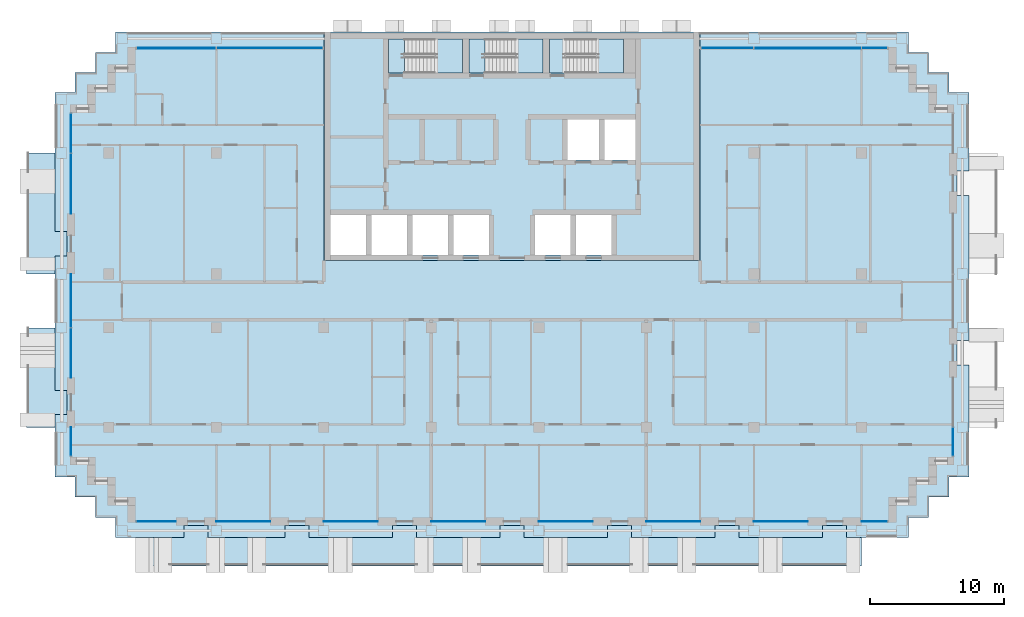
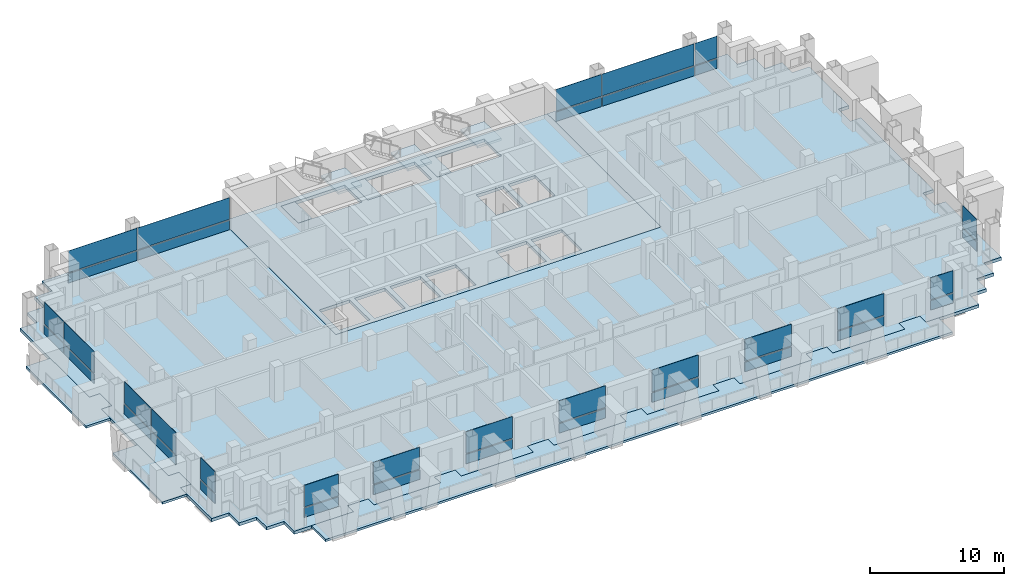
# One storey, part 6 of 16: 38 plates, 11 slabs, 17 elements without a shape of their own.
"""IFC4 building model written with IfcOpenShell, lengths in metres."""

from ifc_helpers import new_model, si_unit, direction, frame, origin, origin_2d, place, context, subcontext, project, spatial, polyline, rectangle, outline, extrude, material, layer, layer_set, type_object, element, aggregate, save


model = new_model("IFC4")

# Units and contexts
model_context = context("Model", 3, precision=1e-05, world=origin(), true_north=direction((0.0, 1.0)))
body_context = subcontext(model_context, "Body", "Model", "MODEL_VIEW")
ifc_project = project(units=[si_unit("LENGTHUNIT", "METRE"), si_unit("AREAUNIT", "SQUARE_METRE"), si_unit("VOLUMEUNIT", "CUBIC_METRE"), si_unit("PLANEANGLEUNIT", "RADIAN"), si_unit("MASSUNIT", "GRAM", prefix="KILO")], contexts=[model_context])

# Site, building, storey
site_placement = place(None, origin())
site = spatial("IfcSite", under=ifc_project, at=site_placement, CompositionType="ELEMENT")
building_placement = place(site_placement, origin())
building = spatial("IfcBuilding", under=site, at=building_placement, Name="Vidyagriha Tower", CompositionType="ELEMENT")
storey_placement = place(building_placement, frame((0.0, 0.0, 132.60009765625)))
storey = spatial("IfcBuildingStorey", under=building, at=storey_placement, Name="L34", CompositionType="ELEMENT", Elevation=132.60009765625)

# Curtain wall, plates
ifc_material_1 = material(Name="Aluminium and glass curtain wall", Category="aluminium")
curtain_wall_type = type_object("IfcCurtainWallType", Name="Dwelling skin unitised curtain wall", PredefinedType="USERDEFINED", material=ifc_material_1)
curtain_wall_1_placement = place(storey_placement, origin())
curtain_wall_1 = element("IfcCurtainWall", 1, at=curtain_wall_1_placement, inside=storey, type_object=curtain_wall_type, Name="CW1 dwelling skin", ObjectType="UNITISED", PredefinedType="USERDEFINED")
ifc_material_2 = material(Name="Glass dark ceramic-fritted spandrel", Category="glass")
ifc_layer_1 = layer(ifc_material_2, 0.0400390625)
ifc_layer_set_1 = layer_set([ifc_layer_1], Name="Glass dark ceramic-fritted spandrel")
plate_type_1 = type_object("IfcPlateType", Name="Ceramic-fritted spandrel panel", PredefinedType="CURTAIN_PANEL", material=ifc_layer_set_1)
plate_1_placement = place(storey_placement, frame((26.982421875, 18.800048828125, -0.000244140625), z_axis=(0.0, 0.0, 1.0), x_axis=(-1.0, 0.0, 0.0)))
plate_1 = element("IfcPlate", 2, at=plate_1_placement, type_object=plate_type_1, Name="CW1 panel 1.1", PredefinedType="CURTAIN_PANEL", context=body_context, shape_type="SweptSolid", body=[
    extrude(rectangle(XDim=1.89501953125, YDim=0.0400390625, at=origin_2d()), origin(), (0.0, 0.0, 1.0), 0.85009765625),
])
plate_2_placement = place(storey_placement, frame((16.017578125, 18.800048828125, -0.000244140625), z_axis=(0.0, 0.0, 1.0), x_axis=(-1.0, 0.0, 0.0)))
plate_2 = element("IfcPlate", 3, at=plate_2_placement, type_object=plate_type_1, Name="CW1 panel 3.1", PredefinedType="CURTAIN_PANEL", context=body_context, shape_type="SweptSolid", body=[
    extrude(rectangle(XDim=3.89501953125, YDim=0.0400390625, at=origin_2d()), origin(), (0.0, 0.0, 1.0), 0.85009765625),
])

# Curtain wall, plate
curtain_wall_2_placement = place(storey_placement, origin())
curtain_wall_2 = element("IfcCurtainWall", 4, at=curtain_wall_2_placement, inside=storey, type_object=curtain_wall_type, Name="CW1 dwelling skin", ObjectType="UNITISED", PredefinedType="USERDEFINED")
plate_3_placement = place(storey_placement, frame((-18.017578125, 18.800048828125, -0.000244140625), z_axis=(0.0, 0.0, 1.0), x_axis=(-1.0, 0.0, 0.0)))
plate_3 = element("IfcPlate", 5, at=plate_3_placement, type_object=plate_type_1, Name="CW1 panel 1.1", PredefinedType="CURTAIN_PANEL", context=body_context, shape_type="SweptSolid", body=[
    extrude(rectangle(XDim=7.89501953125, YDim=0.0400390625, at=origin_2d()), origin(), (0.0, 0.0, 1.0), 0.85009765625),
])

# Curtain wall, plates
curtain_wall_3_placement = place(storey_placement, origin())
curtain_wall_3 = element("IfcCurtainWall", 6, at=curtain_wall_3_placement, inside=storey, type_object=curtain_wall_type, Name="CW1 dwelling skin", ObjectType="UNITISED", PredefinedType="USERDEFINED")
plate_4_placement = place(storey_placement, frame((-32.800048828125, 12.482421875, -0.000244140625), z_axis=(0.0, 0.0, 1.0), x_axis=(0.0, -1.0, 0.0)))
plate_4 = element("IfcPlate", 7, at=plate_4_placement, type_object=plate_type_1, Name="CW1 panel 1.1", PredefinedType="CURTAIN_PANEL", context=body_context, shape_type="SweptSolid", body=[
    extrude(rectangle(XDim=2.89501953125, YDim=0.0400390625, at=origin_2d()), origin(), (0.0, 0.0, 1.0), 0.85009765625),
])
plate_5_placement = place(storey_placement, frame((-32.800048828125, 8.732421875, -0.000244140625), z_axis=(0.0, 0.0, 1.0), x_axis=(0.0, -1.0, 0.0)))
plate_5 = element("IfcPlate", 8, at=plate_5_placement, type_object=plate_type_1, Name="CW1 panel 2.1", PredefinedType="CURTAIN_PANEL", context=body_context, shape_type="SweptSolid", body=[
    extrude(rectangle(XDim=4.465087890625, YDim=0.0400390625, at=origin_2d()), origin(), (0.0, 0.0, 1.0), 0.85009765625),
])

# Curtain wall, plate
curtain_wall_4_placement = place(storey_placement, origin())
curtain_wall_4 = element("IfcCurtainWall", 9, at=curtain_wall_4_placement, inside=storey, type_object=curtain_wall_type, Name="CW1 dwelling skin", ObjectType="UNITISED", PredefinedType="USERDEFINED")
plate_6_placement = place(storey_placement, frame((-32.800048828125, -10.465087890625, -0.000244140625), z_axis=(0.0, 0.0, 1.0), x_axis=(0.0, -1.0, 0.0)))
plate_6 = element("IfcPlate", 10, at=plate_6_placement, type_object=plate_type_1, Name="CW1 panel 1.1", PredefinedType="CURTAIN_PANEL", context=body_context, shape_type="SweptSolid", body=[
    extrude(rectangle(XDim=2.1298828125, YDim=0.0400390625, at=origin_2d()), origin(), (0.0, 0.0, 1.0), 0.85009765625),
])

curtain_wall_5_placement = place(storey_placement, origin())
curtain_wall_5 = element("IfcCurtainWall", 11, at=curtain_wall_5_placement, inside=storey, type_object=curtain_wall_type, Name="CW1 dwelling skin", ObjectType="UNITISED", PredefinedType="USERDEFINED")
plate_7_placement = place(storey_placement, frame((-26.465087890625, -16.39990234375, -0.000244140625)))
plate_7 = element("IfcPlate", 12, at=plate_7_placement, type_object=plate_type_1, Name="CW1 panel 1.1", PredefinedType="CURTAIN_PANEL", context=body_context, shape_type="SweptSolid", body=[
    extrude(rectangle(XDim=2.929931640625, YDim=0.0400390625, at=origin_2d()), origin(), (0.0, 0.0, 1.0), 0.85009765625),
])

curtain_wall_6_placement = place(storey_placement, origin())
curtain_wall_6 = element("IfcCurtainWall", 13, at=curtain_wall_6_placement, inside=storey, type_object=curtain_wall_type, Name="CW1 dwelling skin", ObjectType="UNITISED", PredefinedType="USERDEFINED")
plate_8_placement = place(storey_placement, frame((-12.0, -16.39990234375, -0.000244140625)))
plate_8 = element("IfcPlate", 14, at=plate_8_placement, type_object=plate_type_1, Name="CW1 panel 1.1", PredefinedType="CURTAIN_PANEL", context=body_context, shape_type="SweptSolid", body=[
    extrude(rectangle(XDim=4.0, YDim=0.0400390625, at=origin_2d()), origin(), (0.0, 0.0, 1.0), 0.85009765625),
])

curtain_wall_7_placement = place(storey_placement, origin())
curtain_wall_7 = element("IfcCurtainWall", 15, at=curtain_wall_7_placement, inside=storey, type_object=curtain_wall_type, Name="CW1 dwelling skin", ObjectType="UNITISED", PredefinedType="USERDEFINED")
plate_9_placement = place(storey_placement, frame((4.0, -16.39990234375, -0.000244140625)))
plate_9 = element("IfcPlate", 16, at=plate_9_placement, type_object=plate_type_1, Name="CW1 panel 1.1", PredefinedType="CURTAIN_PANEL", context=body_context, shape_type="SweptSolid", body=[
    extrude(rectangle(XDim=4.0, YDim=0.0400390625, at=origin_2d()), origin(), (0.0, 0.0, 1.0), 0.85009765625),
])

curtain_wall_8_placement = place(storey_placement, origin())
curtain_wall_8 = element("IfcCurtainWall", 17, at=curtain_wall_8_placement, inside=storey, type_object=curtain_wall_type, Name="CW1 dwelling skin", ObjectType="UNITISED", PredefinedType="USERDEFINED")
plate_10_placement = place(storey_placement, frame((20.0, -16.39990234375, -0.000244140625)))
plate_10 = element("IfcPlate", 18, at=plate_10_placement, type_object=plate_type_1, Name="CW1 panel 1.1", PredefinedType="CURTAIN_PANEL", context=body_context, shape_type="SweptSolid", body=[
    extrude(rectangle(XDim=4.0, YDim=0.0400390625, at=origin_2d()), origin(), (0.0, 0.0, 1.0), 0.85009765625),
])

curtain_wall_9_placement = place(storey_placement, origin())
curtain_wall_9 = element("IfcCurtainWall", 19, at=curtain_wall_9_placement, inside=storey, type_object=curtain_wall_type, Name="CW1 dwelling skin", ObjectType="UNITISED", PredefinedType="USERDEFINED")
plate_11_placement = place(storey_placement, frame((26.965087890625, -16.39990234375, -0.000244140625)))
plate_11 = element("IfcPlate", 20, at=plate_11_placement, type_object=plate_type_1, Name="CW1 panel 1.1", PredefinedType="CURTAIN_PANEL", context=body_context, shape_type="SweptSolid", body=[
    extrude(rectangle(XDim=1.929931640625, YDim=0.0400390625, at=origin_2d()), origin(), (0.0, 0.0, 1.0), 0.85009765625),
])

curtain_wall_10_placement = place(storey_placement, origin())
curtain_wall_10 = element("IfcCurtainWall", 21, at=curtain_wall_10_placement, inside=storey, type_object=curtain_wall_type, Name="CW1 dwelling skin", ObjectType="UNITISED", PredefinedType="USERDEFINED")
plate_12_placement = place(storey_placement, frame((32.800048828125, -10.482421875, -0.000244140625), z_axis=(0.0, 0.0, 1.0), x_axis=(0.0, 1.0, 0.0)))
plate_12 = element("IfcPlate", 22, at=plate_12_placement, type_object=plate_type_1, Name="CW1 panel 1.1", PredefinedType="CURTAIN_PANEL", context=body_context, shape_type="SweptSolid", body=[
    extrude(rectangle(XDim=2.094970703125, YDim=0.0400390625, at=origin_2d()), origin(), (0.0, 0.0, 1.0), 0.85009765625),
])

# Slab
ifc_material_3 = material(Name="Concrete C60/75", Category="concrete")
ifc_layer_2 = layer(ifc_material_3, 0.280029296875)
ifc_layer_set_2 = layer_set([ifc_layer_2], Name="Concrete C60/75")
slab_type_1 = type_object("IfcSlabType", Name="Core floor slab 280 mm", PredefinedType="FLOOR", material=ifc_layer_set_2)
slab_1_placement = place(storey_placement, frame((0.0, 0.0, -0.280029296875)))
element("IfcSlab", 23, at=slab_1_placement, inside=storey, type_object=slab_type_1, Name="L34 core floor 1", PredefinedType="FLOOR", context=body_context, shape_type="SweptSolid", body=[
    extrude(outline(polyline([(-14.0, 3.0), (-14.0, 20.0), (14.0, 20.0), (14.0, 3.0), (-14.0, 3.0)]), holes=[polyline([(9.199951171875, 13.5), (6.86669921875, 13.5), (6.86669921875, 10.5), (9.199951171875, 10.5), (9.199951171875, 13.5)]), polyline([(4.0, 19.5), (2.800048828125, 19.5), (2.800048828125, 16.949951171875), (4.0, 16.949951171875), (8.300048828125, 16.949951171875), (8.300048828125, 19.5), (4.0, 19.5)]), polyline([(7.4111328125, 6.39990234375), (4.7666015625, 6.39990234375), (4.7666015625, 3.39990234375), (7.4111328125, 3.39990234375), (7.4111328125, 6.39990234375)]), polyline([(6.466796875, 13.5), (4.13330078125, 13.5), (4.13330078125, 10.5), (6.466796875, 10.5), (6.466796875, 13.5)]), polyline([(1.72216796875, 6.39990234375), (1.72216796875, 3.39990234375), (4.36669921875, 3.39990234375), (4.36669921875, 6.39990234375), (1.72216796875, 6.39990234375)]), polyline([(-2.0, 16.949951171875), (2.300048828125, 16.949951171875), (2.300048828125, 19.5), (-2.0, 19.5), (-3.199951171875, 19.5), (-3.199951171875, 16.949951171875), (-2.0, 16.949951171875)]), polyline([(-1.72216796875, 6.39990234375), (-4.36669921875, 6.39990234375), (-4.36669921875, 3.39990234375), (-1.72216796875, 3.39990234375), (-1.72216796875, 6.39990234375)]), polyline([(-8.0, 19.5), (-9.199951171875, 19.5), (-9.199951171875, 16.949951171875), (-8.0, 16.949951171875), (-3.699951171875, 16.949951171875), (-3.699951171875, 19.5), (-8.0, 19.5)]), polyline([(-4.7666015625, 6.39990234375), (-7.4111328125, 6.39990234375), (-7.4111328125, 3.39990234375), (-4.7666015625, 3.39990234375), (-4.7666015625, 6.39990234375)]), polyline([(-7.81103515625, 6.39990234375), (-10.45556640625, 6.39990234375), (-10.45556640625, 3.39990234375), (-7.81103515625, 3.39990234375), (-7.81103515625, 6.39990234375)]), polyline([(-13.5, 6.39990234375), (-13.5, 3.39990234375), (-10.855712890625, 3.39990234375), (-10.855712890625, 6.39990234375), (-13.5, 6.39990234375)])]), origin(), (0.0, 0.0, 1.0), 0.280029296875),
])

# Plate
ifc_material_4 = material(Name="Glass dark ceramic-fritted", Category="glass")
ifc_layer_3 = layer(ifc_material_4, 0.028076171875)
ifc_layer_set_3 = layer_set([ifc_layer_3], Name="Glass dark ceramic-fritted")
plate_type_2 = type_object("IfcPlateType", Name="Dark ceramic-fritted vision glass panel", PredefinedType="CURTAIN_PANEL", material=ifc_layer_set_3)
plate_13_placement = place(storey_placement, frame((26.982421875, 18.800048828125, 0.94970703125), z_axis=(0.0, 0.0, 1.0), x_axis=(-1.0, 0.0, 0.0)))
plate_13 = element("IfcPlate", 24, at=plate_13_placement, type_object=plate_type_2, Name="CW1 panel 1.2", PredefinedType="CURTAIN_PANEL", context=body_context, shape_type="SweptSolid", body=[
    extrude(rectangle(XDim=1.89501953125, YDim=0.028076171875, at=origin_2d()), origin(), (0.0, 0.0, 1.0), 1.969970703125),
])

plate_14_placement = place(storey_placement, frame((22.0, 18.800048828125, 0.94970703125), z_axis=(0.0, 0.0, 1.0), x_axis=(-1.0, 0.0, 0.0)))
plate_14 = element("IfcPlate", 25, at=plate_14_placement, type_object=plate_type_2, Name="CW1 panel 2.2", PredefinedType="CURTAIN_PANEL", context=body_context, shape_type="SweptSolid", body=[
    extrude(rectangle(XDim=7.929931640625, YDim=0.028076171875, at=origin_2d()), origin(), (0.0, 0.0, 1.0), 1.969970703125),
])

plate_15_placement = place(storey_placement, frame((16.017578125, 18.800048828125, 0.94970703125), z_axis=(0.0, 0.0, 1.0), x_axis=(-1.0, 0.0, 0.0)))
plate_15 = element("IfcPlate", 26, at=plate_15_placement, type_object=plate_type_2, Name="CW1 panel 3.2", PredefinedType="CURTAIN_PANEL", context=body_context, shape_type="SweptSolid", body=[
    extrude(rectangle(XDim=3.89501953125, YDim=0.028076171875, at=origin_2d()), origin(), (0.0, 0.0, 1.0), 1.969970703125),
])

plate_16_placement = place(storey_placement, frame((-18.017578125, 18.800048828125, 0.94970703125), z_axis=(0.0, 0.0, 1.0), x_axis=(-1.0, 0.0, 0.0)))
plate_16 = element("IfcPlate", 27, at=plate_16_placement, type_object=plate_type_2, Name="CW1 panel 1.2", PredefinedType="CURTAIN_PANEL", context=body_context, shape_type="SweptSolid", body=[
    extrude(rectangle(XDim=7.89501953125, YDim=0.028076171875, at=origin_2d()), origin(), (0.0, 0.0, 1.0), 1.969970703125),
])

plate_17_placement = place(storey_placement, frame((-24.982421875, 18.800048828125, 0.94970703125), z_axis=(0.0, 0.0, 1.0), x_axis=(-1.0, 0.0, 0.0)))
plate_17 = element("IfcPlate", 28, at=plate_17_placement, type_object=plate_type_2, Name="CW1 panel 2.2", PredefinedType="CURTAIN_PANEL", context=body_context, shape_type="SweptSolid", body=[
    extrude(rectangle(XDim=5.89501953125, YDim=0.028076171875, at=origin_2d()), origin(), (0.0, 0.0, 1.0), 1.969970703125),
])

plate_18_placement = place(storey_placement, frame((-32.800048828125, 12.482421875, 0.94970703125), z_axis=(0.0, 0.0, 1.0), x_axis=(0.0, -1.0, 0.0)))
plate_18 = element("IfcPlate", 29, at=plate_18_placement, type_object=plate_type_2, Name="CW1 panel 1.2", PredefinedType="CURTAIN_PANEL", context=body_context, shape_type="SweptSolid", body=[
    extrude(rectangle(XDim=2.89501953125, YDim=0.028076171875, at=origin_2d()), origin(), (0.0, 0.0, 1.0), 1.969970703125),
])

plate_19_placement = place(storey_placement, frame((-32.800048828125, 8.732421875, 0.94970703125), z_axis=(0.0, 0.0, 1.0), x_axis=(0.0, -1.0, 0.0)))
plate_19 = element("IfcPlate", 30, at=plate_19_placement, type_object=plate_type_2, Name="CW1 panel 2.2", PredefinedType="CURTAIN_PANEL", context=body_context, shape_type="SweptSolid", body=[
    extrude(rectangle(XDim=4.465087890625, YDim=0.028076171875, at=origin_2d()), origin(), (0.0, 0.0, 1.0), 1.969970703125),
])

aggregate(curtain_wall_3, [plate_4, plate_18, plate_5, plate_19])

# Curtain wall, plates
curtain_wall_11_placement = place(storey_placement, origin())
curtain_wall_11 = element("IfcCurtainWall", 31, at=curtain_wall_11_placement, inside=storey, type_object=curtain_wall_type, Name="CW1 dwelling skin", ObjectType="UNITISED", PredefinedType="USERDEFINED")
plate_20_placement = place(storey_placement, frame((-32.800048828125, 0.017578125, 0.94970703125), z_axis=(0.0, 0.0, 1.0), x_axis=(0.0, -1.0, 0.0)))
plate_20 = element("IfcPlate", 32, at=plate_20_placement, type_object=plate_type_2, Name="CW1 panel 1.2", PredefinedType="CURTAIN_PANEL", context=body_context, shape_type="SweptSolid", body=[
    extrude(rectangle(XDim=3.965087890625, YDim=0.028076171875, at=origin_2d()), origin(), (0.0, 0.0, 1.0), 1.969970703125),
])
plate_21_placement = place(storey_placement, frame((-32.800048828125, -3.867431640625, 0.94970703125), z_axis=(0.0, 0.0, 1.0), x_axis=(0.0, -1.0, 0.0)))
plate_21 = element("IfcPlate", 33, at=plate_21_placement, type_object=plate_type_2, Name="CW1 panel 2.2", PredefinedType="CURTAIN_PANEL", context=body_context, shape_type="SweptSolid", body=[
    extrude(rectangle(XDim=3.6650390625, YDim=0.028076171875, at=origin_2d()), origin(), (0.0, 0.0, 1.0), 1.969970703125),
])

# Plate
plate_22_placement = place(storey_placement, frame((-32.800048828125, -10.465087890625, 0.94970703125), z_axis=(0.0, 0.0, 1.0), x_axis=(0.0, -1.0, 0.0)))
plate_22 = element("IfcPlate", 34, at=plate_22_placement, type_object=plate_type_2, Name="CW1 panel 1.2", PredefinedType="CURTAIN_PANEL", context=body_context, shape_type="SweptSolid", body=[
    extrude(rectangle(XDim=2.1298828125, YDim=0.028076171875, at=origin_2d()), origin(), (0.0, 0.0, 1.0), 1.969970703125),
])

aggregate(curtain_wall_4, [plate_6, plate_22])

plate_23_placement = place(storey_placement, frame((-26.465087890625, -16.39990234375, 0.94970703125)))
plate_23 = element("IfcPlate", 35, at=plate_23_placement, type_object=plate_type_2, Name="CW1 panel 1.2", PredefinedType="CURTAIN_PANEL", context=body_context, shape_type="SweptSolid", body=[
    extrude(rectangle(XDim=2.929931640625, YDim=0.028076171875, at=origin_2d()), origin(), (0.0, 0.0, 1.0), 1.969970703125),
])

aggregate(curtain_wall_5, [plate_7, plate_23])

# Curtain wall, plate
curtain_wall_12_placement = place(storey_placement, origin())
curtain_wall_12 = element("IfcCurtainWall", 36, at=curtain_wall_12_placement, inside=storey, type_object=curtain_wall_type, Name="CW1 dwelling skin", ObjectType="UNITISED", PredefinedType="USERDEFINED")
plate_24_placement = place(storey_placement, frame((-20.0, -16.39990234375, 0.94970703125)))
plate_24 = element("IfcPlate", 37, at=plate_24_placement, type_object=plate_type_2, Name="CW1 panel 1.2", PredefinedType="CURTAIN_PANEL", context=body_context, shape_type="SweptSolid", body=[
    extrude(rectangle(XDim=4.0, YDim=0.028076171875, at=origin_2d()), origin(), (0.0, 0.0, 1.0), 1.969970703125),
])

# Plate
plate_25_placement = place(storey_placement, frame((-12.0, -16.39990234375, 0.94970703125)))
plate_25 = element("IfcPlate", 38, at=plate_25_placement, type_object=plate_type_2, Name="CW1 panel 1.2", PredefinedType="CURTAIN_PANEL", context=body_context, shape_type="SweptSolid", body=[
    extrude(rectangle(XDim=4.0, YDim=0.028076171875, at=origin_2d()), origin(), (0.0, 0.0, 1.0), 1.969970703125),
])

aggregate(curtain_wall_6, [plate_8, plate_25])

# Curtain wall, plate
curtain_wall_13_placement = place(storey_placement, origin())
curtain_wall_13 = element("IfcCurtainWall", 39, at=curtain_wall_13_placement, inside=storey, type_object=curtain_wall_type, Name="CW1 dwelling skin", ObjectType="UNITISED", PredefinedType="USERDEFINED")
plate_26_placement = place(storey_placement, frame((-4.0, -16.39990234375, 0.94970703125)))
plate_26 = element("IfcPlate", 40, at=plate_26_placement, type_object=plate_type_2, Name="CW1 panel 1.2", PredefinedType="CURTAIN_PANEL", context=body_context, shape_type="SweptSolid", body=[
    extrude(rectangle(XDim=4.0, YDim=0.028076171875, at=origin_2d()), origin(), (0.0, 0.0, 1.0), 1.969970703125),
])

# Plate
plate_27_placement = place(storey_placement, frame((4.0, -16.39990234375, 0.94970703125)))
plate_27 = element("IfcPlate", 41, at=plate_27_placement, type_object=plate_type_2, Name="CW1 panel 1.2", PredefinedType="CURTAIN_PANEL", context=body_context, shape_type="SweptSolid", body=[
    extrude(rectangle(XDim=4.0, YDim=0.028076171875, at=origin_2d()), origin(), (0.0, 0.0, 1.0), 1.969970703125),
])

aggregate(curtain_wall_7, [plate_9, plate_27])

# Curtain wall, plate
curtain_wall_14_placement = place(storey_placement, origin())
curtain_wall_14 = element("IfcCurtainWall", 42, at=curtain_wall_14_placement, inside=storey, type_object=curtain_wall_type, Name="CW1 dwelling skin", ObjectType="UNITISED", PredefinedType="USERDEFINED")
plate_28_placement = place(storey_placement, frame((12.0, -16.39990234375, 0.94970703125)))
plate_28 = element("IfcPlate", 43, at=plate_28_placement, type_object=plate_type_2, Name="CW1 panel 1.2", PredefinedType="CURTAIN_PANEL", context=body_context, shape_type="SweptSolid", body=[
    extrude(rectangle(XDim=4.0, YDim=0.028076171875, at=origin_2d()), origin(), (0.0, 0.0, 1.0), 1.969970703125),
])

# Plate
plate_29_placement = place(storey_placement, frame((20.0, -16.39990234375, 0.94970703125)))
plate_29 = element("IfcPlate", 44, at=plate_29_placement, type_object=plate_type_2, Name="CW1 panel 1.2", PredefinedType="CURTAIN_PANEL", context=body_context, shape_type="SweptSolid", body=[
    extrude(rectangle(XDim=4.0, YDim=0.028076171875, at=origin_2d()), origin(), (0.0, 0.0, 1.0), 1.969970703125),
])

aggregate(curtain_wall_8, [plate_10, plate_29])

plate_30_placement = place(storey_placement, frame((26.965087890625, -16.39990234375, 0.94970703125)))
plate_30 = element("IfcPlate", 45, at=plate_30_placement, type_object=plate_type_2, Name="CW1 panel 1.2", PredefinedType="CURTAIN_PANEL", context=body_context, shape_type="SweptSolid", body=[
    extrude(rectangle(XDim=1.929931640625, YDim=0.028076171875, at=origin_2d()), origin(), (0.0, 0.0, 1.0), 1.969970703125),
])

aggregate(curtain_wall_9, [plate_11, plate_30])

plate_31_placement = place(storey_placement, frame((32.800048828125, -10.482421875, 0.94970703125), z_axis=(0.0, 0.0, 1.0), x_axis=(0.0, 1.0, 0.0)))
plate_31 = element("IfcPlate", 46, at=plate_31_placement, type_object=plate_type_2, Name="CW1 panel 1.2", PredefinedType="CURTAIN_PANEL", context=body_context, shape_type="SweptSolid", body=[
    extrude(rectangle(XDim=2.094970703125, YDim=0.028076171875, at=origin_2d()), origin(), (0.0, 0.0, 1.0), 1.969970703125),
])

aggregate(curtain_wall_10, [plate_12, plate_31])

# Slabs
ifc_material_5 = material(Name="Concrete C40/50", Category="concrete")
ifc_layer_4 = layer(ifc_material_5, 0.280029296875)
ifc_layer_set_4 = layer_set([ifc_layer_4], Name="Concrete C40/50")
slab_type_2 = type_object("IfcSlabType", Name="Exit stair floor landing 280 mm", PredefinedType="LANDING", material=ifc_layer_set_4)
slab_2_placement = place(storey_placement, frame((0.0, 0.0, -0.280029296875)))
element("IfcSlab", 47, at=slab_2_placement, inside=storey, type_object=slab_type_2, Name="ST1 floor landing L34", PredefinedType="LANDING", context=body_context, shape_type="SweptSolid", body=[
    extrude(outline(polyline([(-9.199951171875, 16.949951171875), (-8.0, 16.949951171875), (-8.0, 19.5), (-9.199951171875, 19.5), (-9.199951171875, 16.949951171875)])), origin(), (0.0, 0.0, 1.0), 0.280029296875),
])
slab_3_placement = place(storey_placement, frame((0.0, 0.0, -0.280029296875)))
element("IfcSlab", 48, at=slab_3_placement, inside=storey, type_object=slab_type_2, Name="ST2 floor landing L34", PredefinedType="LANDING", context=body_context, shape_type="SweptSolid", body=[
    extrude(outline(polyline([(-3.199951171875, 16.949951171875), (-2.0, 16.949951171875), (-2.0, 19.5), (-3.199951171875, 19.5), (-3.199951171875, 16.949951171875)])), origin(), (0.0, 0.0, 1.0), 0.280029296875),
])
slab_4_placement = place(storey_placement, frame((0.0, 0.0, -0.280029296875)))
element("IfcSlab", 49, at=slab_4_placement, inside=storey, type_object=slab_type_2, Name="ST3 floor landing L34", PredefinedType="LANDING", context=body_context, shape_type="SweptSolid", body=[
    extrude(outline(polyline([(2.800048828125, 16.949951171875), (4.0, 16.949951171875), (4.0, 19.5), (2.800048828125, 19.5), (2.800048828125, 16.949951171875)])), origin(), (0.0, 0.0, 1.0), 0.280029296875),
])

# Stair, slab
ifc_material_6 = material(Name="Concrete C40/50", Category="concrete")
stair_type = type_object("IfcStairType", Name="Exit stair, half-turn, precast flights", PredefinedType="HALF_TURN_STAIR", material=ifc_material_6)
stair_1_placement = place(storey_placement, origin())
stair_1 = element("IfcStair", 50, at=stair_1_placement, inside=storey, type_object=stair_type, Name="L34 Exit Stair ST1", PredefinedType="HALF_TURN_STAIR")
ifc_material_7 = material(Name="Concrete C40/50", Category="concrete")
ifc_layer_5 = layer(ifc_material_7, 0.199951171875)
ifc_layer_set_5 = layer_set([ifc_layer_5], Name="Concrete C40/50")
slab_type_3 = type_object("IfcSlabType", Name="Exit stair landing 200 mm", PredefinedType="LANDING", material=ifc_layer_set_5)
slab_5_placement = place(storey_placement, frame((0.0, 0.0, 1.39990234375)))
slab_5 = element("IfcSlab", 51, at=slab_5_placement, type_object=slab_type_3, Name="ST1 landing 1", PredefinedType="LANDING", context=body_context, shape_type="SweptSolid", body=[
    extrude(outline(polyline([(-5.760009765625, 16.949951171875), (-3.699951171875, 16.949951171875), (-3.699951171875, 19.5), (-5.760009765625, 19.5), (-5.760009765625, 16.949951171875)])), origin(), (0.0, 0.0, 1.0), 0.199951171875),
])
aggregate(stair_1, [slab_5])

stair_2_placement = place(storey_placement, origin())
stair_2 = element("IfcStair", 52, at=stair_2_placement, inside=storey, type_object=stair_type, Name="L34 Exit Stair ST2", PredefinedType="HALF_TURN_STAIR")
slab_6_placement = place(storey_placement, frame((0.0, 0.0, 1.39990234375)))
slab_6 = element("IfcSlab", 53, at=slab_6_placement, type_object=slab_type_3, Name="ST2 landing 1", PredefinedType="LANDING", context=body_context, shape_type="SweptSolid", body=[
    extrude(outline(polyline([(0.239990234375, 16.949951171875), (2.300048828125, 16.949951171875), (2.300048828125, 19.5), (0.239990234375, 19.5), (0.239990234375, 16.949951171875)])), origin(), (0.0, 0.0, 1.0), 0.199951171875),
])
aggregate(stair_2, [slab_6])

stair_3_placement = place(storey_placement, origin())
stair_3 = element("IfcStair", 54, at=stair_3_placement, inside=storey, type_object=stair_type, Name="L34 Exit Stair ST3", PredefinedType="HALF_TURN_STAIR")
slab_7_placement = place(storey_placement, frame((0.0, 0.0, 1.39990234375)))
slab_7 = element("IfcSlab", 55, at=slab_7_placement, type_object=slab_type_3, Name="ST3 landing 1", PredefinedType="LANDING", context=body_context, shape_type="SweptSolid", body=[
    extrude(outline(polyline([(6.239990234375, 16.949951171875), (8.300048828125, 16.949951171875), (8.300048828125, 19.5), (6.239990234375, 19.5), (6.239990234375, 16.949951171875)])), origin(), (0.0, 0.0, 1.0), 0.199951171875),
])
aggregate(stair_3, [slab_7])

# Plate
ifc_material_8 = material(Name="Aluminium black anodised", Category="aluminium")
ifc_layer_6 = layer(ifc_material_8, 0.06005859375)
ifc_layer_set_6 = layer_set([ifc_layer_6], Name="Aluminium black anodised")
plate_type_3 = type_object("IfcPlateType", Name="Operable black-metal vent panel", PredefinedType="CURTAIN_PANEL", material=ifc_layer_set_6)
plate_32_placement = place(storey_placement, frame((22.0, 18.800048828125, -0.000244140625), z_axis=(0.0, 0.0, 1.0), x_axis=(-1.0, 0.0, 0.0)))
plate_32 = element("IfcPlate", 56, at=plate_32_placement, type_object=plate_type_3, Name="CW1 panel 2.1", PredefinedType="CURTAIN_PANEL", context=body_context, shape_type="SweptSolid", body=[
    extrude(rectangle(XDim=7.929931640625, YDim=0.06005859375, at=origin_2d()), origin(), (0.0, 0.0, 1.0), 0.85009765625),
])

aggregate(curtain_wall_1, [plate_1, plate_13, plate_32, plate_14, plate_2, plate_15])

plate_33_placement = place(storey_placement, frame((-24.982421875, 18.800048828125, -0.000244140625), z_axis=(0.0, 0.0, 1.0), x_axis=(-1.0, 0.0, 0.0)))
plate_33 = element("IfcPlate", 57, at=plate_33_placement, type_object=plate_type_3, Name="CW1 panel 2.1", PredefinedType="CURTAIN_PANEL", context=body_context, shape_type="SweptSolid", body=[
    extrude(rectangle(XDim=5.89501953125, YDim=0.06005859375, at=origin_2d()), origin(), (0.0, 0.0, 1.0), 0.85009765625),
])

aggregate(curtain_wall_2, [plate_3, plate_16, plate_33, plate_17])

plate_34_placement = place(storey_placement, frame((-32.800048828125, 0.017578125, -0.000244140625), z_axis=(0.0, 0.0, 1.0), x_axis=(0.0, -1.0, 0.0)))
plate_34 = element("IfcPlate", 58, at=plate_34_placement, type_object=plate_type_3, Name="CW1 panel 1.1", PredefinedType="CURTAIN_PANEL", context=body_context, shape_type="SweptSolid", body=[
    extrude(rectangle(XDim=3.965087890625, YDim=0.06005859375, at=origin_2d()), origin(), (0.0, 0.0, 1.0), 0.85009765625),
])

plate_35_placement = place(storey_placement, frame((-32.800048828125, -3.867431640625, -0.000244140625), z_axis=(0.0, 0.0, 1.0), x_axis=(0.0, -1.0, 0.0)))
plate_35 = element("IfcPlate", 59, at=plate_35_placement, type_object=plate_type_3, Name="CW1 panel 2.1", PredefinedType="CURTAIN_PANEL", context=body_context, shape_type="SweptSolid", body=[
    extrude(rectangle(XDim=3.6650390625, YDim=0.06005859375, at=origin_2d()), origin(), (0.0, 0.0, 1.0), 0.85009765625),
])

aggregate(curtain_wall_11, [plate_34, plate_20, plate_35, plate_21])

plate_36_placement = place(storey_placement, frame((-20.0, -16.39990234375, -0.000244140625)))
plate_36 = element("IfcPlate", 60, at=plate_36_placement, type_object=plate_type_3, Name="CW1 panel 1.1", PredefinedType="CURTAIN_PANEL", context=body_context, shape_type="SweptSolid", body=[
    extrude(rectangle(XDim=4.0, YDim=0.06005859375, at=origin_2d()), origin(), (0.0, 0.0, 1.0), 0.85009765625),
])

aggregate(curtain_wall_12, [plate_36, plate_24])

plate_37_placement = place(storey_placement, frame((-4.0, -16.39990234375, -0.000244140625)))
plate_37 = element("IfcPlate", 61, at=plate_37_placement, type_object=plate_type_3, Name="CW1 panel 1.1", PredefinedType="CURTAIN_PANEL", context=body_context, shape_type="SweptSolid", body=[
    extrude(rectangle(XDim=4.0, YDim=0.06005859375, at=origin_2d()), origin(), (0.0, 0.0, 1.0), 0.85009765625),
])

aggregate(curtain_wall_13, [plate_37, plate_26])

plate_38_placement = place(storey_placement, frame((12.0, -16.39990234375, -0.000244140625)))
plate_38 = element("IfcPlate", 62, at=plate_38_placement, type_object=plate_type_3, Name="CW1 panel 1.1", PredefinedType="CURTAIN_PANEL", context=body_context, shape_type="SweptSolid", body=[
    extrude(rectangle(XDim=4.0, YDim=0.06005859375, at=origin_2d()), origin(), (0.0, 0.0, 1.0), 0.85009765625),
])

aggregate(curtain_wall_14, [plate_38, plate_28])

# Slabs
ifc_material_9 = material(Name="Concrete C50/60", Category="concrete")
ifc_layer_7 = layer(ifc_material_9, 0.280029296875)
ifc_layer_set_7 = layer_set([ifc_layer_7], Name="Concrete C50/60")
slab_type_4 = type_object("IfcSlabType", Name="Post-tensioned flat plate 280", PredefinedType="FLOOR", material=ifc_layer_set_7)
slab_8_placement = place(storey_placement, frame((0.0, 0.0, -0.280029296875)))
element("IfcSlab", 63, at=slab_8_placement, inside=storey, type_object=slab_type_4, Name="st-slab-L34-1", PredefinedType="FLOOR", context=body_context, shape_type="SweptSolid", body=[
    extrude(outline(polyline([(32.5, -14.60009765625), (31.0, -14.60009765625), (31.0, -16.10009765625), (29.5, -16.10009765625), (29.5, -17.60009765625), (24.89990234375, -17.60009765625), (24.89990234375, -16.699951171875), (23.10009765625, -16.699951171875), (23.10009765625, -17.60009765625), (16.89990234375, -17.60009765625), (16.89990234375, -16.699951171875), (15.10009765625, -16.699951171875), (15.10009765625, -17.60009765625), (8.89990234375, -17.60009765625), (8.89990234375, -16.699951171875), (7.10009765625, -16.699951171875), (7.10009765625, -17.60009765625), (0.89990234375, -17.60009765625), (0.89990234375, -16.699951171875), (-0.89990234375, -16.699951171875), (-0.89990234375, -17.60009765625), (-7.10009765625, -17.60009765625), (-7.10009765625, -16.699951171875), (-8.89990234375, -16.699951171875), (-8.89990234375, -17.60009765625), (-15.10009765625, -17.60009765625), (-15.10009765625, -16.699951171875), (-16.89990234375, -16.699951171875), (-16.89990234375, -17.60009765625), (-22.60009765625, -17.60009765625), (-22.60009765625, -16.699951171875), (-24.39990234375, -16.699951171875), (-24.39990234375, -17.60009765625), (-29.5, -17.60009765625), (-29.5, -16.10009765625), (-31.0, -16.10009765625), (-31.0, -14.60009765625), (-32.5, -14.60009765625), (-32.5, -13.10009765625), (-34.0, -13.10009765625), (-34.0, -8.449951171875), (-33.10009765625, -8.449951171875), (-33.10009765625, -6.64990234375), (-34.0, -6.64990234375), (-34.0, 3.35009765625), (-33.10009765625, 3.35009765625), (-33.10009765625, 5.14990234375), (-34.0, 5.14990234375), (-34.0, 15.5), (-32.5, 15.5), (-32.5, 17.0), (-31.0, 17.0), (-31.0, 18.5), (-29.5, 18.5), (-29.5, 20.0), (-14.0, 20.0), (-14.0, 3.0), (14.0, 3.0), (14.0, 20.0), (29.5, 20.0), (29.5, 18.5), (31.0, 18.5), (31.0, 17.0), (32.5, 17.0), (32.5, 15.5), (34.0, 15.5), (34.0, 9.64990234375), (33.10009765625, 9.64990234375), (33.10009765625, 7.85009765625), (34.0, 7.85009765625), (34.0, -2.949951171875), (33.10009765625, -2.949951171875), (33.10009765625, -4.75), (34.0, -4.75), (34.0, -13.10009765625), (32.5, -13.10009765625), (32.5, -14.60009765625)])), origin(), (0.0, 0.0, 1.0), 0.280029296875),
])
ifc_material_10 = material(Name="Precast concrete C40/50", Category="concrete")
ifc_layer_8 = layer(ifc_material_10, 0.199951171875)
ifc_layer_set_8 = layer_set([ifc_layer_8], Name="Precast concrete C40/50")
slab_type_5 = type_object("IfcSlabType", Name="Precast balcony slab 200", PredefinedType="USERDEFINED", material=ifc_layer_set_8)
slab_9_placement = place(storey_placement, frame((0.0, 0.0, -0.2001953125)))
element("IfcSlab", 64, at=slab_9_placement, inside=storey, type_object=slab_type_5, Name="Balcony slab L34 R16.1-1", ObjectType="BALCONY", PredefinedType="USERDEFINED", context=body_context, shape_type="SweptSolid", body=[
    extrude(outline(polyline([(-33.10009765625, 3.35009765625), (-33.10009765625, 5.14990234375), (-34.0, 5.14990234375), (-34.0, 11.0), (-36.10009765625, 11.0), (-36.10009765625, 2.0), (-34.0, 2.0), (-34.0, 3.35009765625), (-33.10009765625, 3.35009765625)])), origin(), (0.0, 0.0, 1.0), 0.2001953125),
])
slab_10_placement = place(storey_placement, frame((0.0, 0.0, -0.2001953125)))
element("IfcSlab", 65, at=slab_10_placement, inside=storey, type_object=slab_type_5, Name="Balcony slab L34 R16.2-2", ObjectType="BALCONY", PredefinedType="USERDEFINED", context=body_context, shape_type="SweptSolid", body=[
    extrude(outline(polyline([(-33.10009765625, -8.449951171875), (-33.10009765625, -6.64990234375), (-34.0, -6.64990234375), (-34.0, -2.0), (-36.10009765625, -2.0), (-36.10009765625, -9.39990234375), (-34.0, -9.39990234375), (-34.0, -8.449951171875), (-33.10009765625, -8.449951171875)])), origin(), (0.0, 0.0, 1.0), 0.2001953125),
])
slab_11_placement = place(storey_placement, frame((0.0, 0.0, -0.2001953125)))
element("IfcSlab", 66, at=slab_11_placement, inside=storey, type_object=slab_type_5, Name="Balcony slab L34 R23.1-7", ObjectType="BALCONY", PredefinedType="USERDEFINED", context=body_context, shape_type="SweptSolid", body=[
    extrude(outline(polyline([(-22.60009765625, -16.699951171875), (-24.39990234375, -16.699951171875), (-24.39990234375, -17.60009765625), (-28.0, -17.60009765625), (-28.0, -19.699951171875), (26.0, -19.699951171875), (26.0, -17.60009765625), (24.89990234375, -17.60009765625), (24.89990234375, -16.699951171875), (23.10009765625, -16.699951171875), (23.10009765625, -17.60009765625), (16.89990234375, -17.60009765625), (16.89990234375, -16.699951171875), (15.10009765625, -16.699951171875), (15.10009765625, -17.60009765625), (8.89990234375, -17.60009765625), (8.89990234375, -16.699951171875), (7.10009765625, -16.699951171875), (7.10009765625, -17.60009765625), (0.89990234375, -17.60009765625), (0.89990234375, -16.699951171875), (-0.89990234375, -16.699951171875), (-0.89990234375, -17.60009765625), (-7.10009765625, -17.60009765625), (-7.10009765625, -16.699951171875), (-8.89990234375, -16.699951171875), (-8.89990234375, -17.60009765625), (-15.10009765625, -17.60009765625), (-15.10009765625, -16.699951171875), (-16.89990234375, -16.699951171875), (-16.89990234375, -17.60009765625), (-22.60009765625, -17.60009765625), (-22.60009765625, -16.699951171875)])), origin(), (0.0, 0.0, 1.0), 0.2001953125),
])

save(model, "model.ifc")
